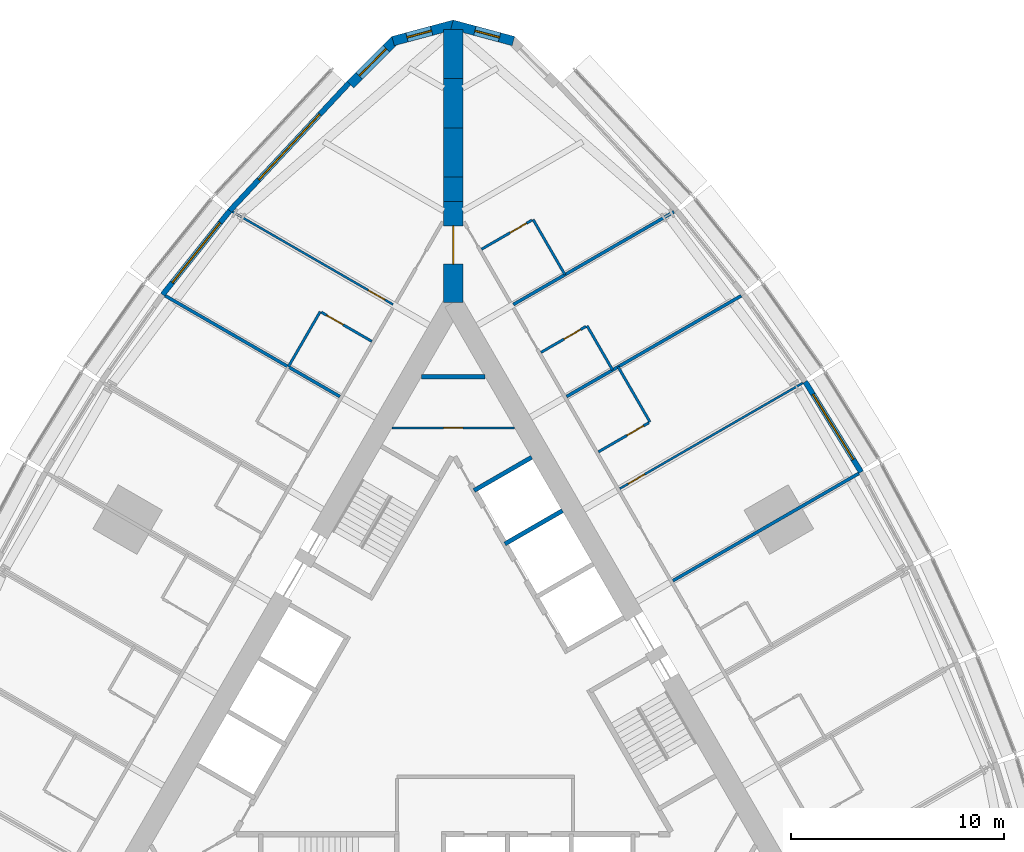
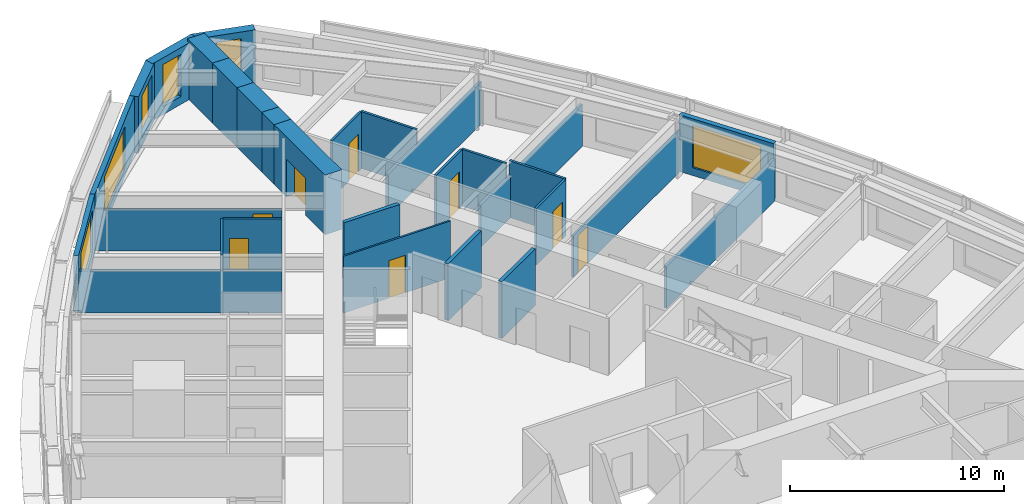
# One storey, part 12 of 14: 29 walls, 8 doors, 6 windows, 14 openings.
"""IFC4 building model written with IfcOpenShell, lengths in metres."""

from ifc_helpers import new_model, si_unit, direction, frame, frame_2d, origin, place, context, subcontext, project, spatial, polyline, rectangle, outline, extrude, material, layer, layer_set, type_object, element, fill, save


model = new_model("IFC4")

# Units and contexts
model_context = context("Model", 3, precision=1e-05, world=origin(), true_north=direction((0.0, 1.0)))
body_context = subcontext(model_context, "Body", "Model", "MODEL_VIEW")
ifc_project = project(units=[si_unit("LENGTHUNIT", "METRE"), si_unit("AREAUNIT", "SQUARE_METRE"), si_unit("VOLUMEUNIT", "CUBIC_METRE"), si_unit("PLANEANGLEUNIT", "RADIAN"), si_unit("MASSUNIT", "GRAM", prefix="KILO")], contexts=[model_context])

# Site, building, storey
site_placement = place(None, origin())
site = spatial("IfcSite", under=ifc_project, at=site_placement, CompositionType="ELEMENT")
building_placement = place(site_placement, origin())
building = spatial("IfcBuilding", under=site, at=building_placement, Name="Trikona Tower", CompositionType="ELEMENT")
storey_placement = place(building_placement, frame((0.0, 0.0, 48.89990234375)))
storey = spatial("IfcBuildingStorey", under=building, at=storey_placement, Name="L11", CompositionType="ELEMENT", Elevation=48.89990234375)

# Wall
ifc_material_1 = material(Name="Metal stud and cement board", Category="gypsum")
ifc_layer_1 = layer(ifc_material_1, 0.1201171875)
ifc_layer_set_1 = layer_set([ifc_layer_1], Name="Bathroom wall 120")
wall_type_1 = type_object("IfcWallType", Name="Bathroom wall 120", PredefinedType="PLUMBINGWALL", material=ifc_layer_set_1)
wall_1_placement = place(storey_placement, frame((9.25341796875, 13.42529296875, 0.0), z_axis=(0.0, 0.0, 1.0), x_axis=(-0.499990139034, 0.866031096941, 0.0)))
element("IfcWall", 1, at=wall_1_placement, inside=storey, type_object=wall_type_1, Name="Bathroom wall 1108.1", PredefinedType="PLUMBINGWALL", context=body_context, shape_type="SweptSolid", body=[
    extrude(rectangle(XDim=3.0, YDim=0.1201171875, at=frame_2d((1.5, 0.0))), origin(), (0.0, 0.0, 1.0), 3.235107421875),
])

# Wall, opening, door
wall_2_placement = place(storey_placement, frame((6.82861328125, 12.025390625, 0.0), z_axis=(0.0, 0.0, 1.0), x_axis=(0.866035715982, 0.499982138324, 0.0)))
wall_2 = element("IfcWall", 2, at=wall_2_placement, inside=storey, type_object=wall_type_1, Name="Bathroom wall 1108.1", PredefinedType="PLUMBINGWALL", context=body_context, shape_type="SweptSolid", body=[
    extrude(rectangle(XDim=2.73974609375, YDim=0.1201171875, at=frame_2d((1.369873046875, 0.0))), origin(), (0.0, 0.0, 1.0), 3.235107421875),
])
opening_1_placement = place(wall_2_placement, frame((1.550048828125, 0.0, 0.0)))
opening_1 = element("IfcOpeningElement", 3, at=opening_1_placement, cuts=wall_2, Name="Opening D2", PredefinedType="OPENING", context=body_context, shape_type="SweptSolid", body=[
    extrude(rectangle(XDim=0.89990234375, YDim=2.1298828125, at=frame_2d((0.449951171875, 1.06494140625))), frame((0.0, 0.070068359375, 0.0), z_axis=(0.0, -1.0, 0.0), x_axis=(1.0, 0.0, 0.0)), (0.0, 0.0, 1.0), 0.14013671875),
])
ifc_material_2 = material(Name="Steel door frame with solid-core timber leaf", Category="steel")
door_type_1 = type_object("IfcDoorType", Name="Bathroom door 900x2130", OperationType="SLIDING_TO_LEFT", PredefinedType="DOOR", material=ifc_material_2)
door_1_placement = place(opening_1_placement, origin())
door_1 = element("IfcDoor", 4, at=door_1_placement, inside=storey, type_object=door_type_1, Name="Bathroom door 1108.1", OperationType="SLIDING_TO_LEFT", OverallHeight=2.1298828125, OverallWidth=0.89990234375, PredefinedType="DOOR", context=body_context, shape_type="SweptSolid", body=[
    extrude(rectangle(XDim=0.89990234375, YDim=2.1298828125, at=frame_2d((0.449951171875, 1.06494140625))), frame((0.0, 0.02490234375, 0.0), z_axis=(0.0, -1.0, 0.0), x_axis=(1.0, 0.0, 0.0)), (0.0, 0.0, 1.0), 0.050048828125),
])
fill(opening_1, door_1)

# Wall
wall_3_placement = place(storey_placement, frame((7.493408203125, 15.873291015625, 0.0), z_axis=(0.0, 0.0, 1.0), x_axis=(-0.499957262057, 0.866050077142, 0.0)))
element("IfcWall", 5, at=wall_3_placement, inside=storey, type_object=wall_type_1, Name="Bathroom wall 1109", PredefinedType="PLUMBINGWALL", context=body_context, shape_type="SweptSolid", body=[
    extrude(rectangle(XDim=2.400146484375, YDim=0.1201171875, at=frame_2d((1.2001953125, 0.0))), origin(), (0.0, 0.0, 1.0), 3.235107421875),
])

# Wall, opening, door
wall_4_placement = place(storey_placement, frame((4.12841796875, 16.701904296875, 0.0), z_axis=(0.0, 0.0, 1.0), x_axis=(0.866048967903, 0.499959183527, 0.0)))
wall_4 = element("IfcWall", 6, at=wall_4_placement, inside=storey, type_object=wall_type_1, Name="Bathroom wall 1109", PredefinedType="PLUMBINGWALL", context=body_context, shape_type="SweptSolid", body=[
    extrude(rectangle(XDim=2.440185546875, YDim=0.1201171875, at=frame_2d((1.22021484375, 0.0))), origin(), (0.0, 0.0, 1.0), 3.235107421875),
])
opening_2_placement = place(wall_4_placement, frame((1.25, 0.0, 0.0)))
opening_2 = element("IfcOpeningElement", 7, at=opening_2_placement, cuts=wall_4, Name="Opening D2", PredefinedType="OPENING", context=body_context, shape_type="SweptSolid", body=[
    extrude(rectangle(XDim=0.89990234375, YDim=2.1298828125, at=frame_2d((0.449951171875, 1.06494140625))), frame((0.0, 0.070068359375, 0.0), z_axis=(0.0, -1.0, 0.0), x_axis=(1.0, 0.0, 0.0)), (0.0, 0.0, 1.0), 0.14013671875),
])
door_2_placement = place(opening_2_placement, origin())
door_2 = element("IfcDoor", 8, at=door_2_placement, inside=storey, type_object=door_type_1, Name="Bathroom door 1109", OperationType="SLIDING_TO_LEFT", OverallHeight=2.1298828125, OverallWidth=0.89990234375, PredefinedType="DOOR", context=body_context, shape_type="SweptSolid", body=[
    extrude(rectangle(XDim=0.89990234375, YDim=2.1298828125, at=frame_2d((0.449951171875, 1.06494140625))), frame((0.0, 0.02490234375, 0.0), z_axis=(0.0, -1.0, 0.0), x_axis=(1.0, 0.0, 0.0)), (0.0, 0.0, 1.0), 0.050048828125),
])
fill(opening_2, door_2)

# Wall
wall_5_placement = place(storey_placement, frame((5.25341796875, 20.353515625, 0.0), z_axis=(0.0, 0.0, 1.0), x_axis=(-0.499990139034, 0.866031096941, 0.0)))
element("IfcWall", 9, at=wall_5_placement, inside=storey, type_object=wall_type_1, Name="Bathroom wall 1110", PredefinedType="PLUMBINGWALL", context=body_context, shape_type="SweptSolid", body=[
    extrude(rectangle(XDim=3.0, YDim=0.1201171875, at=frame_2d((1.5, 0.0))), origin(), (0.0, 0.0, 1.0), 3.235107421875),
])

# Wall, opening, door
wall_6_placement = place(storey_placement, frame((1.32861328125, 21.551513671875, 0.0), z_axis=(0.0, 0.0, 1.0), x_axis=(0.865997131366, 0.500048966069, 0.0)))
wall_6 = element("IfcWall", 10, at=wall_6_placement, inside=storey, type_object=wall_type_1, Name="Bathroom wall 1110", PredefinedType="PLUMBINGWALL", context=body_context, shape_type="SweptSolid", body=[
    extrude(rectangle(XDim=2.739990234375, YDim=0.1201171875, at=frame_2d((1.3701171875, 0.0))), origin(), (0.0, 0.0, 1.0), 3.235107421875),
])
opening_3_placement = place(wall_6_placement, frame((1.550048828125, 0.0, 0.0)))
opening_3 = element("IfcOpeningElement", 11, at=opening_3_placement, cuts=wall_6, Name="Opening D2", PredefinedType="OPENING", context=body_context, shape_type="SweptSolid", body=[
    extrude(rectangle(XDim=0.89990234375, YDim=2.1298828125, at=frame_2d((0.449951171875, 1.06494140625))), frame((0.0, 0.070068359375, 0.0), z_axis=(0.0, -1.0, 0.0), x_axis=(1.0, 0.0, 0.0)), (0.0, 0.0, 1.0), 0.14013671875),
])
door_3_placement = place(opening_3_placement, origin())
door_3 = element("IfcDoor", 12, at=door_3_placement, inside=storey, type_object=door_type_1, Name="Bathroom door 1110", OperationType="SLIDING_TO_LEFT", OverallHeight=2.1298828125, OverallWidth=0.89990234375, PredefinedType="DOOR", context=body_context, shape_type="SweptSolid", body=[
    extrude(rectangle(XDim=0.89990234375, YDim=2.1298828125, at=frame_2d((0.449951171875, 1.06494140625))), frame((0.0, 0.02490234375, 0.0), z_axis=(0.0, -1.0, 0.0), x_axis=(1.0, 0.0, 0.0)), (0.0, 0.0, 1.0), 0.050048828125),
])
fill(opening_3, door_3)

# Wall
wall_7_placement = place(storey_placement, frame((-6.25341796875, 18.62158203125, 0.0), z_axis=(0.0, 0.0, 1.0), x_axis=(-0.499990139034, -0.866031096941, 0.0)))
element("IfcWall", 13, at=wall_7_placement, inside=storey, type_object=wall_type_1, Name="Bathroom wall 1111.1", PredefinedType="PLUMBINGWALL", context=body_context, shape_type="SweptSolid", body=[
    extrude(rectangle(XDim=3.0, YDim=0.1201171875, at=frame_2d((1.5, 0.0))), origin(), (0.0, 0.0, 1.0), 3.235107421875),
])

# Wall, opening, door
wall_8_placement = place(storey_placement, frame((-3.82861328125, 17.221435546875, 0.0), z_axis=(0.0, 0.0, 1.0), x_axis=(-0.865997131366, 0.500048966069, 0.0)))
wall_8 = element("IfcWall", 14, at=wall_8_placement, inside=storey, type_object=wall_type_1, Name="Bathroom wall 1111.1", PredefinedType="PLUMBINGWALL", context=body_context, shape_type="SweptSolid", body=[
    extrude(rectangle(XDim=2.739990234375, YDim=0.1201171875, at=frame_2d((1.3701171875, 0.0))), origin(), (0.0, 0.0, 1.0), 3.235107421875),
])
opening_4_placement = place(wall_8_placement, frame((1.550048828125, 0.0, 0.0)))
opening_4 = element("IfcOpeningElement", 15, at=opening_4_placement, cuts=wall_8, Name="Opening D2", PredefinedType="OPENING", context=body_context, shape_type="SweptSolid", body=[
    extrude(rectangle(XDim=0.89990234375, YDim=2.1298828125, at=frame_2d((0.449951171875, 1.06494140625))), frame((0.0, 0.070068359375, 0.0), z_axis=(0.0, -1.0, 0.0), x_axis=(1.0, 0.0, 0.0)), (0.0, 0.0, 1.0), 0.14013671875),
])
door_4_placement = place(opening_4_placement, origin())
door_4 = element("IfcDoor", 16, at=door_4_placement, inside=storey, type_object=door_type_1, Name="Bathroom door 1111.1", OperationType="SLIDING_TO_LEFT", OverallHeight=2.1298828125, OverallWidth=0.89990234375, PredefinedType="DOOR", context=body_context, shape_type="SweptSolid", body=[
    extrude(rectangle(XDim=0.89990234375, YDim=2.1298828125, at=frame_2d((0.449951171875, 1.06494140625))), frame((0.0, 0.02490234375, 0.0), z_axis=(0.0, -1.0, 0.0), x_axis=(1.0, 0.0, 0.0)), (0.0, 0.0, 1.0), 0.050048828125),
])
fill(opening_4, door_4)

# Wall, opening, window
ifc_material_3 = material(Name="Brick-faced precast concrete", Category="masonry")
ifc_layer_2 = layer(ifc_material_3, 0.449951171875)
ifc_layer_set_2 = layer_set([ifc_layer_2], Name="Brick-faced corner wall 450")
wall_type_2 = type_object("IfcWallType", Name="Brick-faced corner wall 450", PredefinedType="SOLIDWALL", material=ifc_layer_set_2)
wall_9_placement = place(storey_placement, frame((2.82861328125, 31.3408203125, 0.0), z_axis=(0.0, 0.0, 1.0), x_axis=(-0.965930548995, 0.258801419081, 0.0)))
wall_9 = element("IfcWall", 17, at=wall_9_placement, inside=storey, type_object=wall_type_2, Name="External wall L11-21", PredefinedType="SOLIDWALL", context=body_context, shape_type="SweptSolid", body=[
    extrude(outline(polyline([(2.988525390625, 0.22509765625), (2.92919921875, 0.22509765625), (2.4375, 0.09326171875), (2.40234375, 0.22509765625), (0.0, 0.22509765625), (0.0, -0.22509765625), (2.988525390625, -0.22509765625), (2.988525390625, 0.22509765625)])), origin(), (0.0, 0.0, 1.0), 3.235107421875),
])
opening_5_placement = place(wall_9_placement, frame((0.676025390625, 0.0, 0.449951171875)))
opening_5 = element("IfcOpeningElement", 18, at=opening_5_placement, cuts=wall_9, Name="Opening W1224", PredefinedType="OPENING", context=body_context, shape_type="SweptSolid", body=[
    extrude(rectangle(XDim=1.199951171875, YDim=2.39990234375, at=frame_2d((0.60009765625, 1.199951171875))), frame((0.0, 0.23486328125, 0.0), z_axis=(0.0, -1.0, 0.0), x_axis=(1.0, 0.0, 0.0)), (0.0, 0.0, 1.0), 0.469970703125),
])
ifc_material_4 = material(Name="Aluminium-framed double glazing", Category="aluminium")
window_type_1 = type_object("IfcWindowType", Name="Window 1200x2400", PartitioningType="SINGLE_PANEL", PredefinedType="WINDOW", material=ifc_material_4)
window_1_placement = place(opening_5_placement, origin())
window_1 = element("IfcWindow", 19, at=window_1_placement, inside=storey, type_object=window_type_1, Name="Window 1110", OverallHeight=2.39990234375, OverallWidth=1.199951171875, PartitioningType="SINGLE_PANEL", PredefinedType="WINDOW", context=body_context, shape_type="SweptSolid", body=[
    extrude(rectangle(XDim=1.199951171875, YDim=2.39990234375, at=frame_2d((0.60009765625, 1.199951171875))), frame((0.0, 0.030029296875, 0.0), z_axis=(0.0, -1.0, 0.0), x_axis=(1.0, 0.0, 0.0)), (0.0, 0.0, 1.0), 0.06005859375),
])
fill(opening_5, window_1)

wall_10_placement = place(storey_placement, frame((0.05810546875, 32.1142578125, 0.0), z_axis=(0.0, 0.0, 1.0), x_axis=(-0.965930548995, -0.258801419081, 0.0)))
wall_10 = element("IfcWall", 20, at=wall_10_placement, inside=storey, type_object=wall_type_2, Name="External wall L11-22", PredefinedType="SOLIDWALL", context=body_context, shape_type="SweptSolid", body=[
    extrude(outline(polyline([(2.988525390625, 0.22509765625), (0.58642578125, 0.22509765625), (0.551025390625, 0.09326171875), (0.059326171875, 0.22509765625), (0.0, 0.22509765625), (0.0, -0.22509765625), (2.988525390625, -0.22509765625), (2.988525390625, 0.22509765625)])), origin(), (0.0, 0.0, 1.0), 3.235107421875),
])
opening_6_placement = place(wall_10_placement, frame((1.112548828125, 0.0, 0.449951171875)))
opening_6 = element("IfcOpeningElement", 21, at=opening_6_placement, cuts=wall_10, Name="Opening W1224", PredefinedType="OPENING", context=body_context, shape_type="SweptSolid", body=[
    extrude(rectangle(XDim=1.199951171875, YDim=2.39990234375, at=frame_2d((0.60009765625, 1.199951171875))), frame((0.0, 0.23486328125, 0.0), z_axis=(0.0, -1.0, 0.0), x_axis=(1.0, 0.0, 0.0)), (0.0, 0.0, 1.0), 0.469970703125),
])
window_2_placement = place(opening_6_placement, origin())
window_2 = element("IfcWindow", 22, at=window_2_placement, inside=storey, type_object=window_type_1, Name="Window 1111", OverallHeight=2.39990234375, OverallWidth=1.199951171875, PartitioningType="SINGLE_PANEL", PredefinedType="WINDOW", context=body_context, shape_type="SweptSolid", body=[
    extrude(rectangle(XDim=1.199951171875, YDim=2.39990234375, at=frame_2d((0.60009765625, 1.199951171875))), frame((0.0, 0.030029296875, 0.0), z_axis=(0.0, -1.0, 0.0), x_axis=(1.0, 0.0, 0.0)), (0.0, 0.0, 1.0), 0.06005859375),
])
fill(opening_6, window_2)

wall_11_placement = place(storey_placement, frame((-2.727783203125, 31.39892578125, 0.0), z_axis=(0.0, 0.0, 1.0), x_axis=(-0.707106781187, -0.707106781187, 0.0)))
wall_11 = element("IfcWall", 23, at=wall_11_placement, inside=storey, type_object=wall_type_2, Name="External wall L11-23", PredefinedType="SOLIDWALL", context=body_context, shape_type="SweptSolid", body=[
    extrude(rectangle(XDim=2.98828125, YDim=0.449951171875, at=frame_2d((1.494140625, 0.0))), origin(), (0.0, 0.0, 1.0), 3.235107421875),
])
opening_7_placement = place(wall_11_placement, frame((0.59423828125, 0.0, 0.449951171875)))
opening_7 = element("IfcOpeningElement", 24, at=opening_7_placement, cuts=wall_11, Name="Opening W1824", PredefinedType="OPENING", context=body_context, shape_type="SweptSolid", body=[
    extrude(rectangle(XDim=1.800048828125, YDim=2.39990234375, at=frame_2d((0.89990234375, 1.199951171875))), frame((0.0, 0.23486328125, 0.0), z_axis=(0.0, -1.0, 0.0), x_axis=(1.0, 0.0, 0.0)), (0.0, 0.0, 1.0), 0.469970703125),
])
ifc_material_5 = material(Name="Aluminium-framed double glazing", Category="aluminium")
window_type_2 = type_object("IfcWindowType", Name="Window 1800x2400", PartitioningType="SINGLE_PANEL", PredefinedType="WINDOW", material=ifc_material_5)
window_3_placement = place(opening_7_placement, origin())
window_3 = element("IfcWindow", 25, at=window_3_placement, inside=storey, type_object=window_type_2, Name="Window 1111", OverallHeight=2.39990234375, OverallWidth=1.800048828125, PartitioningType="SINGLE_PANEL", PredefinedType="WINDOW", context=body_context, shape_type="SweptSolid", body=[
    extrude(rectangle(XDim=1.800048828125, YDim=2.39990234375, at=frame_2d((0.89990234375, 1.199951171875))), frame((0.0, 0.030029296875, 0.0), z_axis=(0.0, -1.0, 0.0), x_axis=(1.0, 0.0, 0.0)), (0.0, 0.0, 1.0), 0.06005859375),
])
fill(opening_7, window_3)

# Wall, opening, door
ifc_material_6 = material(Name="Concrete f'c 10000 psi", Category="concrete")
ifc_layer_3 = layer(ifc_material_6, 0.89990234375)
ifc_layer_set_3 = layer_set([ifc_layer_3], Name="Buttress wall 900")
wall_type_3 = type_object("IfcWallType", Name="Buttress wall 900", PredefinedType="SHEAR", material=ifc_layer_set_3)
wall_12_placement = place(storey_placement, frame((0.0, 19.052490234375, 0.0), z_axis=(0.0, 0.0, 1.0), x_axis=(0.0, 1.0, 0.0)))
wall_12 = element("IfcWall", 26, at=wall_12_placement, inside=storey, type_object=wall_type_3, Name="Buttress wall 2", PredefinedType="SHEAR", context=body_context, shape_type="SweptSolid", body=[
    extrude(rectangle(XDim=4.74609375, YDim=0.89990234375, at=frame_2d((2.373046875, 0.0))), origin(), (0.0, 0.0, 1.0), 3.400146484375),
])
opening_8_placement = place(wall_12_placement, frame((1.800048828125, 0.0, 0.0)))
opening_8 = element("IfcOpeningElement", 27, at=opening_8_placement, cuts=wall_12, Name="Opening D10", PredefinedType="OPENING", context=body_context, shape_type="SweptSolid", body=[
    extrude(rectangle(XDim=1.800048828125, YDim=2.1298828125, at=frame_2d((0.89990234375, 1.06494140625))), frame((0.0, 0.4599609375, 0.0), z_axis=(0.0, -1.0, 0.0), x_axis=(1.0, 0.0, 0.0)), (0.0, 0.0, 1.0), 0.919921875),
])
ifc_material_7 = material(Name="Hollow metal door and frame", Category="steel")
door_type_2 = type_object("IfcDoorType", Name="Cross-corridor door pair 1800x2130", OperationType="DOUBLE_DOOR_DOUBLE_SWING", PredefinedType="DOOR", material=ifc_material_7)
door_5_placement = place(opening_8_placement, origin())
door_5 = element("IfcDoor", 28, at=door_5_placement, inside=storey, type_object=door_type_2, Name="Cross-corridor door 2", OperationType="DOUBLE_DOOR_DOUBLE_SWING", OverallHeight=2.1298828125, OverallWidth=1.800048828125, PredefinedType="DOOR", context=body_context, shape_type="SweptSolid", body=[
    extrude(rectangle(XDim=1.800048828125, YDim=2.1298828125, at=frame_2d((0.89990234375, 1.06494140625))), frame((0.0, 0.02490234375, 0.0), z_axis=(0.0, -1.0, 0.0), x_axis=(1.0, 0.0, 0.0)), (0.0, 0.0, 1.0), 0.050048828125),
])
fill(opening_8, door_5)

# Walls
wall_13_placement = place(storey_placement, frame((0.0, 23.798583984375, 0.0), z_axis=(0.0, 0.0, 1.0), x_axis=(0.0, 1.0, 0.0)))
element("IfcWall", 29, at=wall_13_placement, inside=storey, type_object=wall_type_3, Name="Buttress wall 2 part 2", PredefinedType="SHEAR", context=body_context, shape_type="SweptSolid", body=[
    extrude(rectangle(XDim=1.15478515625, YDim=0.89990234375, at=frame_2d((0.577392578125, 0.0))), origin(), (0.0, 0.0, 1.0), 3.400146484375),
])
wall_14_placement = place(storey_placement, frame((0.0, 24.953369140625, 0.0), z_axis=(0.0, 0.0, 1.0), x_axis=(0.0, 1.0, 0.0)))
element("IfcWall", 30, at=wall_14_placement, inside=storey, type_object=wall_type_3, Name="Buttress wall 2 part 3", PredefinedType="SHEAR", context=body_context, shape_type="SweptSolid", body=[
    extrude(rectangle(XDim=2.309326171875, YDim=0.89990234375, at=frame_2d((1.15478515625, 0.0))), origin(), (0.0, 0.0, 1.0), 3.400146484375),
])
wall_15_placement = place(storey_placement, frame((0.0, 27.2626953125, 0.0), z_axis=(0.0, 0.0, 1.0), x_axis=(0.0, 1.0, 0.0)))
element("IfcWall", 31, at=wall_15_placement, inside=storey, type_object=wall_type_3, Name="Buttress wall 2 part 4", PredefinedType="SHEAR", context=body_context, shape_type="SweptSolid", body=[
    extrude(rectangle(XDim=2.3095703125, YDim=0.89990234375, at=frame_2d((1.15478515625, 0.0))), origin(), (0.0, 0.0, 1.0), 3.400146484375),
])
wall_16_placement = place(storey_placement, frame((0.0, 29.572265625, 0.0), z_axis=(0.0, 0.0, 1.0), x_axis=(0.0, 1.0, 0.0)))
element("IfcWall", 32, at=wall_16_placement, inside=storey, type_object=wall_type_3, Name="Buttress wall 2 part 5", PredefinedType="SHEAR", context=body_context, shape_type="SweptSolid", body=[
    extrude(rectangle(XDim=2.309326171875, YDim=0.89990234375, at=frame_2d((1.15478515625, 0.0))), origin(), (0.0, 0.0, 1.0), 3.400146484375),
])

# Wall, opening, window
ifc_material_8 = material(Name="Insulated precast concrete spandrel panel", Category="concrete")
ifc_layer_4 = layer(ifc_material_8, 0.25)
ifc_layer_set_4 = layer_set([ifc_layer_4], Name="Inner skin wall 250")
wall_type_4 = type_object("IfcWallType", Name="Inner skin wall 250", PredefinedType="STANDARD", material=ifc_layer_set_4)
wall_17_placement = place(storey_placement, frame((19.182373046875, 11.070556640625, 0.0), z_axis=(0.0, 0.0, 1.0), x_axis=(-0.526132807704, 0.850402415717, 0.0)))
wall_17 = element("IfcWall", 33, at=wall_17_placement, inside=storey, type_object=wall_type_4, Name="External wall L11-16", PredefinedType="STANDARD", context=body_context, shape_type="SweptSolid", body=[
    extrude(rectangle(XDim=5.002197265625, YDim=0.25, at=frame_2d((2.5009765625, 0.0))), origin(), (0.0, 0.0, 1.0), 3.235107421875),
])
opening_9_placement = place(wall_17_placement, frame((0.701171875, 0.0, 0.449951171875)))
opening_9 = element("IfcOpeningElement", 34, at=opening_9_placement, cuts=wall_17, Name="Opening W3624", PredefinedType="OPENING", context=body_context, shape_type="SweptSolid", body=[
    extrude(rectangle(XDim=3.60009765625, YDim=2.39990234375, at=frame_2d((1.800048828125, 1.199951171875))), frame((0.0, 0.135009765625, 0.0), z_axis=(0.0, -1.0, 0.0), x_axis=(1.0, 0.0, 0.0)), (0.0, 0.0, 1.0), 0.27001953125),
])
ifc_material_9 = material(Name="Aluminium-framed double glazing", Category="aluminium")
window_type_3 = type_object("IfcWindowType", Name="Window 3600x2400", PartitioningType="SINGLE_PANEL", PredefinedType="WINDOW", material=ifc_material_9)
window_4_placement = place(opening_9_placement, origin())
window_4 = element("IfcWindow", 35, at=window_4_placement, inside=storey, type_object=window_type_3, Name="Window 1108", OverallHeight=2.39990234375, OverallWidth=3.60009765625, PartitioningType="SINGLE_PANEL", PredefinedType="WINDOW", context=body_context, shape_type="SweptSolid", body=[
    extrude(rectangle(XDim=3.60009765625, YDim=2.39990234375, at=frame_2d((1.800048828125, 1.199951171875))), frame((0.0, 0.030029296875, 0.0), z_axis=(0.0, -1.0, 0.0), x_axis=(1.0, 0.0, 0.0)), (0.0, 0.0, 1.0), 0.06005859375),
])
fill(opening_9, window_4)

wall_18_placement = place(storey_placement, frame((-4.90869140625, 29.359619140625, 0.0), z_axis=(0.0, 0.0, 1.0), x_axis=(-0.682289646561, -0.731081964075, 0.0)))
wall_18 = element("IfcWall", 36, at=wall_18_placement, inside=storey, type_object=wall_type_4, Name="External wall L11-24", PredefinedType="STANDARD", context=body_context, shape_type="SweptSolid", body=[
    extrude(rectangle(XDim=8.2109375, YDim=0.25, at=frame_2d((4.10546875, 0.0))), origin(), (0.0, 0.0, 1.0), 3.235107421875),
])
opening_10_placement = place(wall_18_placement, frame((2.005615234375, 0.0, 0.449951171875)))
opening_10 = element("IfcOpeningElement", 37, at=opening_10_placement, cuts=wall_18, Name="Opening W4224", PredefinedType="OPENING", context=body_context, shape_type="SweptSolid", body=[
    extrude(rectangle(XDim=4.199951171875, YDim=2.39990234375, at=frame_2d((2.10009765625, 1.199951171875))), frame((0.0, 0.135009765625, 0.0), z_axis=(0.0, -1.0, 0.0), x_axis=(1.0, 0.0, 0.0)), (0.0, 0.0, 1.0), 0.27001953125),
])
ifc_material_10 = material(Name="Aluminium-framed double glazing", Category="aluminium")
window_type_4 = type_object("IfcWindowType", Name="Window 4200x2400", PartitioningType="SINGLE_PANEL", PredefinedType="WINDOW", material=ifc_material_10)
window_5_placement = place(opening_10_placement, origin())
window_5 = element("IfcWindow", 38, at=window_5_placement, inside=storey, type_object=window_type_4, Name="Window 1111", OverallHeight=2.39990234375, OverallWidth=4.199951171875, PartitioningType="SINGLE_PANEL", PredefinedType="WINDOW", context=body_context, shape_type="SweptSolid", body=[
    extrude(rectangle(XDim=4.199951171875, YDim=2.39990234375, at=frame_2d((2.10009765625, 1.199951171875))), frame((0.0, 0.030029296875, 0.0), z_axis=(0.0, -1.0, 0.0), x_axis=(1.0, 0.0, 0.0)), (0.0, 0.0, 1.0), 0.06005859375),
])
fill(opening_10, window_5)

wall_19_placement = place(storey_placement, frame((-10.5048828125, 23.36376953125, 0.0), z_axis=(0.0, 0.0, 1.0), x_axis=(-0.624594965756, -0.780948864364, 0.0)))
wall_19 = element("IfcWall", 39, at=wall_19_placement, inside=storey, type_object=wall_type_4, Name="External wall L11-25", PredefinedType="STANDARD", context=body_context, shape_type="SweptSolid", body=[
    extrude(rectangle(XDim=5.0576171875, YDim=0.25, at=frame_2d((2.52880859375, 0.0))), origin(), (0.0, 0.0, 1.0), 3.235107421875),
])
opening_11_placement = place(wall_19_placement, frame((0.728759765625, 0.0, 0.449951171875)))
opening_11 = element("IfcOpeningElement", 40, at=opening_11_placement, cuts=wall_19, Name="Opening W3624", PredefinedType="OPENING", context=body_context, shape_type="SweptSolid", body=[
    extrude(rectangle(XDim=3.60009765625, YDim=2.39990234375, at=frame_2d((1.800048828125, 1.199951171875))), frame((0.0, 0.135009765625, 0.0), z_axis=(0.0, -1.0, 0.0), x_axis=(1.0, 0.0, 0.0)), (0.0, 0.0, 1.0), 0.27001953125),
])
window_6_placement = place(opening_11_placement, origin())
window_6 = element("IfcWindow", 41, at=window_6_placement, inside=storey, type_object=window_type_3, Name="Window 1111.1", OverallHeight=2.39990234375, OverallWidth=3.60009765625, PartitioningType="SINGLE_PANEL", PredefinedType="WINDOW", context=body_context, shape_type="SweptSolid", body=[
    extrude(rectangle(XDim=3.60009765625, YDim=2.39990234375, at=frame_2d((1.800048828125, 1.199951171875))), frame((0.0, 0.030029296875, 0.0), z_axis=(0.0, -1.0, 0.0), x_axis=(1.0, 0.0, 0.0)), (0.0, 0.0, 1.0), 0.06005859375),
])
fill(opening_11, window_6)

# Walls
ifc_material_11 = material(Name="Metal stud and gypsum board, 1-hour acoustic", Category="gypsum")
ifc_layer_5 = layer(ifc_material_11, 0.14990234375)
ifc_layer_set_5 = layer_set([ifc_layer_5], Name="Party wall 150")
wall_type_5 = type_object("IfcWallType", Name="Party wall 150", PredefinedType="PARTITIONING", material=ifc_layer_set_5)
wall_20_placement = place(storey_placement, frame((10.32861328125, 5.963134765625, 0.0), z_axis=(0.0, 0.0, 1.0), x_axis=(0.866021688545, 0.500006434927, 0.0)))
element("IfcWall", 42, at=wall_20_placement, inside=storey, type_object=wall_type_5, Name="Partition L11 F2 u0", PredefinedType="PARTITIONING", context=body_context, shape_type="SweptSolid", body=[
    extrude(rectangle(XDim=10.095947265625, YDim=0.14990234375, at=frame_2d((5.0478515625, 0.0))), origin(), (0.0, 0.0, 1.0), 2.389404296875),
])
wall_21_placement = place(storey_placement, frame((5.32861328125, 14.623291015625, 0.0), z_axis=(0.0, 0.0, 1.0), x_axis=(0.866018409083, 0.500012114982, 0.0)))
element("IfcWall", 43, at=wall_21_placement, inside=storey, type_object=wall_type_5, Name="Partition L11 F2 u10", PredefinedType="PARTITIONING", context=body_context, shape_type="SweptSolid", body=[
    extrude(rectangle(XDim=9.484619140625, YDim=0.14990234375, at=frame_2d((4.7421875, 0.0))), origin(), (0.0, 0.0, 1.0), 2.389404296875),
])
wall_22_placement = place(storey_placement, frame((2.82861328125, 18.95361328125, 0.0), z_axis=(0.0, 0.0, 1.0), x_axis=(0.866020536561, 0.500008430184, 0.0)))
element("IfcWall", 44, at=wall_22_placement, inside=storey, type_object=wall_type_5, Name="Partition L11 F2 u15", PredefinedType="PARTITIONING", context=body_context, shape_type="SweptSolid", body=[
    extrude(rectangle(XDim=8.719970703125, YDim=0.14990234375, at=frame_2d((4.35986328125, 0.0))), origin(), (0.0, 0.0, 1.0), 2.389404296875),
])
wall_23_placement = place(storey_placement, frame((-5.32861328125, 14.623291015625, 0.0), z_axis=(0.0, 0.0, 1.0), x_axis=(-0.866018409083, 0.500012114982, 0.0)))
element("IfcWall", 45, at=wall_23_placement, inside=storey, type_object=wall_type_5, Name="Partition L11 F3 u-10", PredefinedType="PARTITIONING", context=body_context, shape_type="SweptSolid", body=[
    extrude(rectangle(XDim=9.484619140625, YDim=0.14990234375, at=frame_2d((4.7421875, 0.0))), origin(), (0.0, 0.0, 1.0), 2.389404296875),
])
ifc_material_12 = material(Name="Concrete f'c 8000 psi", Category="concrete")
ifc_layer_6 = layer(ifc_material_12, 0.199951171875)
ifc_layer_set_6 = layer_set([ifc_layer_6], Name="Shaft wall 200")
wall_type_6 = type_object("IfcWallType", Name="Shaft wall 200", PredefinedType="SOLIDWALL", material=ifc_layer_set_6)
for number, where, z_axis, x_axis, name in (
    (46, (2.428955078125, 7.695556640625, 0.0), (0.0, 0.0, 1.0), (0.866022959057, 0.500004234368, 0.0), "Shaft wall B5"),
    (47, (0.97900390625, 10.20703125, 0.0), (0.0, 0.0, 1.0), (0.866022959057, 0.500004234368, 0.0), "Shaft wall B6"),
):
    element("IfcWall", number, at=place(storey_placement, frame(where, z_axis=z_axis, x_axis=x_axis)), inside=storey, type_object=wall_type_6, Name=name, PredefinedType="SOLIDWALL", context=body_context, shape_type="SweptSolid", body=[
        extrude(rectangle(XDim=3.125, YDim=0.199951171875, at=frame_2d((1.5625, 0.0))), origin(), (0.0, 0.0, 1.0), 3.235107421875),
    ])
wall_24_placement = place(storey_placement, frame((-1.501220703125, 15.552490234375, 0.0), z_axis=(0.0, 0.0, 1.0), x_axis=(1.0, 0.0, 0.0)))
element("IfcWall", 48, at=wall_24_placement, inside=storey, type_object=wall_type_6, Name="Riser wall L11-RS2", PredefinedType="SOLIDWALL", context=body_context, shape_type="SweptSolid", body=[
    extrude(rectangle(XDim=3.00244140625, YDim=0.199951171875, at=frame_2d((1.501220703125, 0.0))), origin(), (0.0, 0.0, 1.0), 3.235107421875),
])

# Wall, opening, door
ifc_material_13 = material(Name="Metal stud and gypsum board, acoustic", Category="gypsum")
ifc_layer_7 = layer(ifc_material_13, 0.10009765625)
ifc_layer_set_7 = layer_set([ifc_layer_7], Name="Suite partition 100")
wall_type_7 = type_object("IfcWallType", Name="Suite partition 100", PredefinedType="PARTITIONING", material=ifc_layer_set_7)
wall_25_placement = place(storey_placement, frame((7.82861328125, 10.293212890625, 0.0), z_axis=(0.0, 0.0, 1.0), x_axis=(0.866016302457, 0.50001576363, 0.0)))
wall_25 = element("IfcWall", 49, at=wall_25_placement, inside=storey, type_object=wall_type_7, Name="Suite partition L11 F2 u5", PredefinedType="PARTITIONING", context=body_context, shape_type="SweptSolid", body=[
    extrude(rectangle(XDim=9.943115234375, YDim=0.10009765625, at=frame_2d((4.9716796875, 0.0))), origin(), (0.0, 0.0, 1.0), 2.389404296875),
])
opening_12_placement = place(wall_25_placement, frame((0.449951171875, 0.0, 0.0)))
opening_12 = element("IfcOpeningElement", 50, at=opening_12_placement, cuts=wall_25, Name="Opening D13", PredefinedType="OPENING", context=body_context, shape_type="SweptSolid", body=[
    extrude(rectangle(XDim=0.89990234375, YDim=2.1298828125, at=frame_2d((0.449951171875, 1.06494140625))), frame((0.0, 0.06005859375, 0.0), z_axis=(0.0, -1.0, 0.0), x_axis=(1.0, 0.0, 0.0)), (0.0, 0.0, 1.0), 0.1201171875),
])
ifc_material_14 = material(Name="Steel door frame with solid-core timber leaf", Category="steel")
door_type_3 = type_object("IfcDoorType", Name="Suite door 900x2130", OperationType="SINGLE_SWING_LEFT", PredefinedType="DOOR", material=ifc_material_14)
door_6_placement = place(opening_12_placement, origin())
door_6 = element("IfcDoor", 51, at=door_6_placement, inside=storey, type_object=door_type_3, Name="Suite door 1108", OperationType="SINGLE_SWING_LEFT", OverallHeight=2.1298828125, OverallWidth=0.89990234375, PredefinedType="DOOR", context=body_context, shape_type="SweptSolid", body=[
    extrude(rectangle(XDim=0.89990234375, YDim=2.1298828125, at=frame_2d((0.449951171875, 1.06494140625))), frame((0.0, 0.02490234375, 0.0), z_axis=(0.0, -1.0, 0.0), x_axis=(1.0, 0.0, 0.0)), (0.0, 0.0, 1.0), 0.050048828125),
])
fill(opening_12, door_6)

wall_26_placement = place(storey_placement, frame((-2.82861328125, 18.95361328125, 0.0), z_axis=(0.0, 0.0, 1.0), x_axis=(-0.866020536561, 0.500008430184, 0.0)))
wall_26 = element("IfcWall", 52, at=wall_26_placement, inside=storey, type_object=wall_type_7, Name="Suite partition L11 F3 u-15", PredefinedType="PARTITIONING", context=body_context, shape_type="SweptSolid", body=[
    extrude(rectangle(XDim=8.719970703125, YDim=0.10009765625, at=frame_2d((4.35986328125, 0.0))), origin(), (0.0, 0.0, 1.0), 2.389404296875),
])
opening_13_placement = place(wall_26_placement, frame((0.449951171875, 0.0, 0.0)))
opening_13 = element("IfcOpeningElement", 53, at=opening_13_placement, cuts=wall_26, Name="Opening D13", PredefinedType="OPENING", context=body_context, shape_type="SweptSolid", body=[
    extrude(rectangle(XDim=0.89990234375, YDim=2.1298828125, at=frame_2d((0.449951171875, 1.06494140625))), frame((0.0, 0.06005859375, 0.0), z_axis=(0.0, -1.0, 0.0), x_axis=(1.0, 0.0, 0.0)), (0.0, 0.0, 1.0), 0.1201171875),
])
door_7_placement = place(opening_13_placement, origin())
door_7 = element("IfcDoor", 54, at=door_7_placement, inside=storey, type_object=door_type_3, Name="Suite door 1111", OperationType="SINGLE_SWING_LEFT", OverallHeight=2.1298828125, OverallWidth=0.89990234375, PredefinedType="DOOR", context=body_context, shape_type="SweptSolid", body=[
    extrude(rectangle(XDim=0.89990234375, YDim=2.1298828125, at=frame_2d((0.449951171875, 1.06494140625))), frame((0.0, 0.02490234375, 0.0), z_axis=(0.0, -1.0, 0.0), x_axis=(1.0, 0.0, 0.0)), (0.0, 0.0, 1.0), 0.050048828125),
])
fill(opening_13, door_7)

wall_27_placement = place(storey_placement, frame((-2.88671875, 13.152587890625, 0.0), z_axis=(0.0, 0.0, 1.0), x_axis=(1.0, 0.0, 0.0)))
wall_27 = element("IfcWall", 55, at=wall_27_placement, inside=storey, type_object=wall_type_7, Name="Store partition L11-RS2", PredefinedType="PARTITIONING", context=body_context, shape_type="SweptSolid", body=[
    extrude(rectangle(XDim=5.7734375, YDim=0.10009765625, at=frame_2d((2.88671875, 0.0))), origin(), (0.0, 0.0, 1.0), 3.235107421875),
])
opening_14_placement = place(wall_27_placement, frame((2.436767578125, 0.0, 0.0)))
opening_14 = element("IfcOpeningElement", 56, at=opening_14_placement, cuts=wall_27, Name="Opening D15", PredefinedType="OPENING", context=body_context, shape_type="SweptSolid", body=[
    extrude(rectangle(XDim=0.89990234375, YDim=2.1298828125, at=frame_2d((0.449951171875, 1.06494140625))), frame((0.0, 0.06005859375, 0.0), z_axis=(0.0, -1.0, 0.0), x_axis=(1.0, 0.0, 0.0)), (0.0, 0.0, 1.0), 0.1201171875),
])
ifc_material_15 = material(Name="Steel door frame with solid-core timber leaf", Category="steel")
door_type_4 = type_object("IfcDoorType", Name="Store door 900x2130", OperationType="SINGLE_SWING_LEFT", PredefinedType="DOOR", material=ifc_material_15)
door_8_placement = place(opening_14_placement, origin())
door_8 = element("IfcDoor", 57, at=door_8_placement, inside=storey, type_object=door_type_4, Name="Door Storage STO", OperationType="SINGLE_SWING_RIGHT", OverallHeight=2.1298828125, OverallWidth=0.89990234375, PredefinedType="DOOR", context=body_context, shape_type="SweptSolid", body=[
    extrude(rectangle(XDim=0.89990234375, YDim=2.1298828125, at=frame_2d((0.449951171875, 1.06494140625))), frame((0.0, 0.02490234375, 0.0), z_axis=(0.0, -1.0, 0.0), x_axis=(1.0, 0.0, 0.0)), (0.0, 0.0, 1.0), 0.050048828125),
])
fill(opening_14, door_8)

save(model, "model.ifc")
